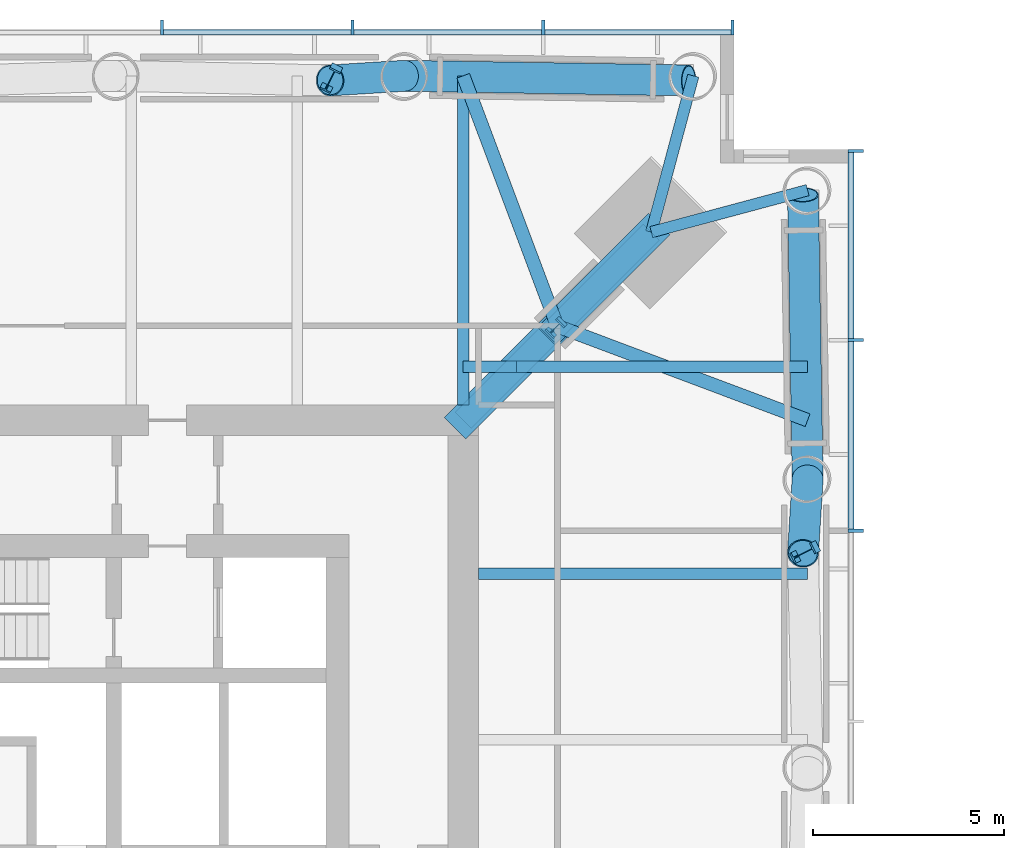
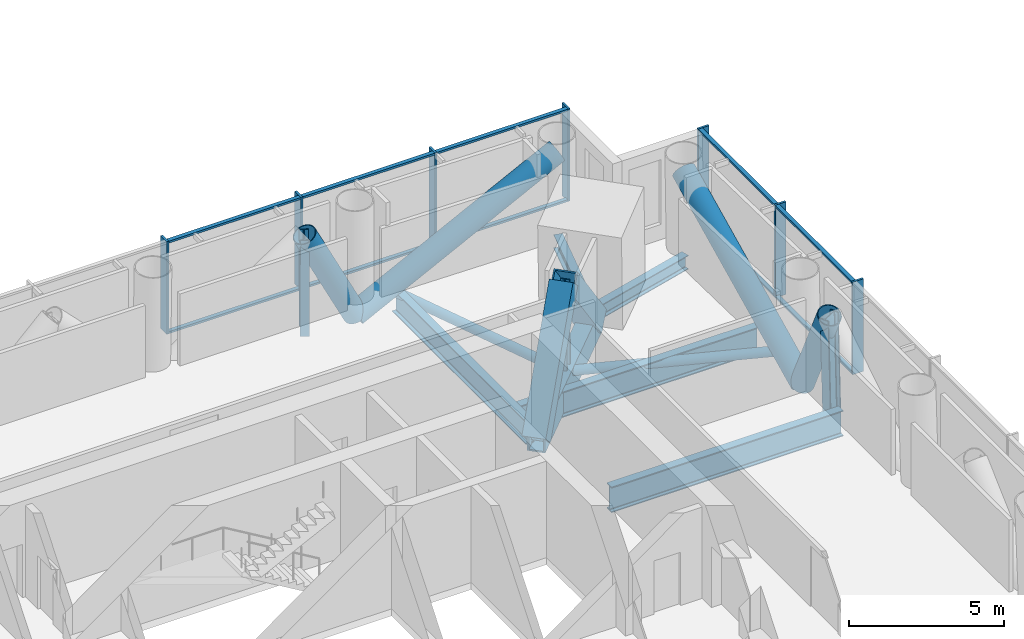
# One storey, part 5 of 18: 29 members, 6 beams, 2 elements without a shape of their own.
"""IFC4 building model written with IfcOpenShell, lengths in metres."""

from ifc_helpers import new_model, si_unit, direction, frame, origin, origin_2d, place, context, subcontext, project, spatial, rectangle, hollow_rectangle, hollow_circle, i_section, extrude, material, material_profile, profile_set, type_object, element, aggregate, save


model = new_model("IFC4")

# Units and contexts
model_context = context("Model", 3, precision=1e-05, world=origin(), true_north=direction((0.0, 1.0)))
body_context = subcontext(model_context, "Body", "Model", "MODEL_VIEW")
ifc_project = project(units=[si_unit("LENGTHUNIT", "METRE"), si_unit("AREAUNIT", "SQUARE_METRE"), si_unit("VOLUMEUNIT", "CUBIC_METRE"), si_unit("PLANEANGLEUNIT", "RADIAN"), si_unit("MASSUNIT", "GRAM", prefix="KILO")], contexts=[model_context])

# Site, building, storey
site_placement = place(None, origin())
site = spatial("IfcSite", under=ifc_project, at=site_placement, CompositionType="ELEMENT")
building_placement = place(site_placement, origin())
building = spatial("IfcBuilding", under=site, at=building_placement, Name="Ostroluk Exchange", CompositionType="ELEMENT")
storey_placement = place(building_placement, frame((0.0, 0.0, 85.60009765625)))
storey = spatial("IfcBuildingStorey", under=building, at=storey_placement, Name="L21", CompositionType="ELEMENT", Elevation=85.60009765625)

# Members
ifc_material_1 = material(Name="Steel S460", Category="steel")
ifc_material_profile_1 = material_profile(ifc_material_1, hollow_circle(Radius=0.406494140625, WallThickness=0.030029296875, at=origin_2d()), Name="CHS 813x30")
ifc_profile_set_1 = profile_set([ifc_material_profile_1], Name="Steel S460")
member_type_1 = type_object("IfcMemberType", Name="Belt truss diagonal CHS 813x30", PredefinedType="BRACE", material=ifc_profile_set_1)
member_1_placement = place(storey_placement, frame((66.935791015625, 57.361328125, -0.780029296875), z_axis=(-0.027976305897, -0.449643277912, 0.892769986579), x_axis=(0.998070006554, -0.062098808504, 0.0)))
element("IfcMember", 1, at=member_1_placement, inside=storey, type_object=member_type_1, Name="Belt truss 1 east diagonal 2.7", PredefinedType="BRACE", context=body_context, shape_type="SweptSolid", body=[
    extrude(hollow_circle(Radius=0.406494140625, WallThickness=0.030029296875, at=origin_2d()), origin(), (0.0, 0.0, 1.0), 4.345947265625),
])
for number, where, z_axis, x_axis, name in (
    (2, (66.935791015625, 57.361328125, -0.780029296875), (-0.014468546103, 0.886910254783, 0.461715129853), (-0.999866962595, -0.016311257162, 0.0), "Belt truss 1 east diagonal 2.8"),
    (3, (56.361328125, 67.935791015625, -0.780029296875), (0.886910254783, -0.014468546103, 0.461715129853), (0.016311257162, 0.999866962595, 0.0), "Belt truss 1 north diagonal 2.1"),
):
    element("IfcMember", number, at=place(storey_placement, frame(where, z_axis=z_axis, x_axis=x_axis)), inside=storey, type_object=member_type_1, Name=name, PredefinedType="BRACE", context=body_context, shape_type="SweptSolid", body=[
        extrude(hollow_circle(Radius=0.406494140625, WallThickness=0.030029296875, at=origin_2d()), origin(), (0.0, 0.0, 1.0), 8.403076171875),
    ])
member_2_placement = place(storey_placement, frame((56.361328125, 67.935791015625, -0.780029296875), z_axis=(-0.449643277912, -0.027976305897, 0.892769986579), x_axis=(0.062098808504, -0.998070006554, 0.0)))
element("IfcMember", 4, at=member_2_placement, inside=storey, type_object=member_type_1, Name="Belt truss 1 north diagonal 2.2", PredefinedType="BRACE", context=body_context, shape_type="SweptSolid", body=[
    extrude(hollow_circle(Radius=0.406494140625, WallThickness=0.030029296875, at=origin_2d()), origin(), (0.0, 0.0, 1.0), 4.345947265625),
])
ifc_material_2 = material(Name="Steel S460", Category="steel")
ifc_material_profile_2 = material_profile(ifc_material_2, i_section(OverallWidth=0.304931640625, OverallDepth=0.6201171875, WebThickness=0.02099609375, FlangeThickness=0.0400390625, FilletRadius=0.027099609375, at=origin_2d()), Name="HEM 600")
ifc_profile_set_2 = profile_set([ifc_material_profile_2], Name="Steel S460")
member_type_2 = type_object("IfcMemberType", Name="Belt truss post HEM 600", PredefinedType="POST", material=ifc_profile_set_2)
for number, where, z_axis, x_axis, name in (
    (5, (66.935791015625, 55.4677734375, -0.780029296875), (-0.031317337633, -0.015595782596, 0.999387810576), (0.445775033553, -0.895145027055, 0.0), "Belt truss 1 east post 2.6"),
    (6, (54.4677734375, 67.935791015625, -0.780029296875), (-0.015595782596, -0.031317337633, 0.999387810576), (0.895145027055, -0.445775033553, 0.0), "Belt truss 1 north post 2.2"),
):
    element("IfcMember", number, at=place(storey_placement, frame(where, z_axis=z_axis, x_axis=x_axis)), inside=storey, type_object=member_type_2, Name=name, PredefinedType="POST", context=body_context, shape_type="SweptSolid", body=[
        extrude(i_section(OverallWidth=0.304931640625, OverallDepth=0.6201171875, WebThickness=0.02099609375, FlangeThickness=0.0400390625, FilletRadius=0.027099609375, at=origin_2d()), origin(), (0.0, 0.0, 1.0), 3.88232421875),
    ])

# Beams
ifc_material_3 = material(Name="Steel S355", Category="steel")
ifc_material_profile_3 = material_profile(ifc_material_3, i_section(OverallWidth=0.300048828125, OverallDepth=0.550048828125, WebThickness=0.014892578125, FlangeThickness=0.029052734375, FilletRadius=0.027099609375, at=origin_2d()), Name="HEB 550")
ifc_profile_set_3 = profile_set([ifc_material_profile_3], Name="Steel S355")
beam_type_1 = type_object("IfcBeamType", Name="Corner edge beam HEB 550", PredefinedType="SPANDREL", material=ifc_profile_set_3)
for number, where, z_axis, x_axis, name in (
    (7, (62.835693359375, 63.835693359375, -0.55517578125), (0.965838624319, 0.259144268261, 0.0), (-0.259144268261, 0.965838624319, 0.0), "T1 east corner edge beam a"),
    (8, (62.835693359375, 63.835693359375, -0.55517578125), (0.259144268261, 0.965838624319, 0.0), (-0.965838624319, 0.259144268261, 0.0), "T1 east corner edge beam b"),
):
    element("IfcBeam", number, at=place(storey_placement, frame(where, z_axis=z_axis, x_axis=x_axis)), inside=storey, type_object=beam_type_1, Name=name, PredefinedType="SPANDREL", context=body_context, shape_type="SweptSolid", body=[
        extrude(i_section(OverallWidth=0.300048828125, OverallDepth=0.550048828125, WebThickness=0.014892578125, FlangeThickness=0.029052734375, FilletRadius=0.027099609375, at=origin_2d()), origin(), (0.0, 0.0, 1.0), 4.2451171875),
    ])
ifc_material_4 = material(Name="Steel S355", Category="steel")
ifc_material_profile_4 = material_profile(ifc_material_4, i_section(OverallWidth=0.302001953125, OverallDepth=1.008056640625, WebThickness=0.02099609375, FlangeThickness=0.0400390625, FilletRadius=0.030029296875, at=origin_2d()), Name="HEM 1000")
ifc_profile_set_4 = profile_set([ifc_material_profile_4], Name="Steel S355")
beam_type_2 = type_object("IfcBeamType", Name="Floor beam HEM 1000", PredefinedType="BEAM", material=ifc_profile_set_4)
beam_1_placement = place(storey_placement, frame((58.300048828125, 54.872314453125, -0.7841796875), z_axis=(1.0, 0.0, 0.0), x_axis=(0.0, 1.0, 0.0)))
element("IfcBeam", 9, at=beam_1_placement, inside=storey, type_object=beam_type_2, Name="T1 east floor beam 5", PredefinedType="BEAM", context=body_context, shape_type="SweptSolid", body=[
    extrude(i_section(OverallWidth=0.302001953125, OverallDepth=1.008056640625, WebThickness=0.02099609375, FlangeThickness=0.0400390625, FilletRadius=0.030029296875, at=origin_2d()), origin(), (0.0, 0.0, 1.0), 8.6357421875),
])
beam_2_placement = place(storey_placement, frame((57.89990234375, 60.300048828125, -0.7841796875), z_axis=(1.0, 0.0, 0.0), x_axis=(0.0, 1.0, 0.0)))
element("IfcBeam", 10, at=beam_2_placement, inside=storey, type_object=beam_type_2, Name="T1 east floor beam 6", PredefinedType="BEAM", context=body_context, shape_type="SweptSolid", body=[
    extrude(i_section(OverallWidth=0.302001953125, OverallDepth=1.008056640625, WebThickness=0.02099609375, FlangeThickness=0.0400390625, FilletRadius=0.030029296875, at=origin_2d()), origin(), (0.0, 0.0, 1.0), 1.400146484375),
])
beam_3_placement = place(storey_placement, frame((59.300048828125, 60.300048828125, -0.7841796875), z_axis=(1.0, 0.0, 0.0), x_axis=(0.0, 1.0, 0.0)))
element("IfcBeam", 11, at=beam_3_placement, inside=storey, type_object=beam_type_2, Name="T1 east floor beam 6", PredefinedType="BEAM", context=body_context, shape_type="SweptSolid", body=[
    extrude(i_section(OverallWidth=0.302001953125, OverallDepth=1.008056640625, WebThickness=0.02099609375, FlangeThickness=0.0400390625, FilletRadius=0.030029296875, at=origin_2d()), origin(), (0.0, 0.0, 1.0), 7.6357421875),
])
ifc_material_5 = material(Name="Steel S355", Category="steel")
ifc_material_profile_5 = material_profile(ifc_material_5, i_section(OverallWidth=0.300048828125, OverallDepth=0.89990234375, WebThickness=0.0185546875, FlangeThickness=0.034912109375, FilletRadius=0.030029296875, at=origin_2d()), Name="HEB 900")
ifc_profile_set_5 = profile_set([ifc_material_profile_5], Name="Steel S355")
beam_type_3 = type_object("IfcBeamType", Name="Girder HEB 900", PredefinedType="BEAM", material=ifc_profile_set_5)
beam_4_placement = place(storey_placement, frame((57.89990234375, 59.300048828125, -0.72998046875), z_axis=(0.0, 1.0, 0.0), x_axis=(-1.0, 0.0, 0.0)))
element("IfcBeam", 12, at=beam_4_placement, inside=storey, type_object=beam_type_3, Name="T1 east girder", PredefinedType="BEAM", context=body_context, shape_type="SweptSolid", body=[
    extrude(i_section(OverallWidth=0.300048828125, OverallDepth=0.89990234375, WebThickness=0.0185546875, FlangeThickness=0.034912109375, FilletRadius=0.030029296875, at=origin_2d()), origin(), (0.0, 0.0, 1.0), 8.6357421875),
])

# Members
ifc_material_6 = material(Name="Steel S460", Category="steel")
ifc_material_profile_6 = material_profile(ifc_material_6, hollow_rectangle(XDim=0.60009765625, YDim=1.0, WallThickness=0.06005859375, at=origin_2d()), Name="BOX 600x1000x60")
ifc_profile_set_6 = profile_set([ifc_material_profile_6], Name="Steel S460")
member_type_3 = type_object("IfcMemberType", Name="Outrigger chord BOX 600x1000x60", PredefinedType="CHORD", material=ifc_profile_set_6)
member_3_placement = place(storey_placement, frame((57.89990234375, 58.89990234375, -0.780029296875), z_axis=(0.707106781187, 0.707106781187, 0.0), x_axis=(-0.707106781187, 0.707106781187, 0.0)))
element("IfcMember", 13, at=member_3_placement, inside=storey, type_object=member_type_3, Name="Outrigger 1 NE chord 2", PredefinedType="CHORD", context=body_context, shape_type="SweptSolid", body=[
    extrude(hollow_rectangle(XDim=0.60009765625, YDim=1.0, WallThickness=0.06005859375, at=origin_2d()), origin(), (0.0, 0.0, 1.0), 6.980224609375),
])
ifc_material_7 = material(Name="Steel S460", Category="steel")
ifc_material_profile_7 = material_profile(ifc_material_7, hollow_rectangle(XDim=0.800048828125, YDim=0.800048828125, WallThickness=0.050048828125, at=origin_2d()), Name="BOX 800x800x50")
ifc_profile_set_7 = profile_set([ifc_material_profile_7], Name="Steel S460")
member_type_4 = type_object("IfcMemberType", Name="Outrigger diagonal BOX 800x800x50", PredefinedType="BRACE", material=ifc_profile_set_7)
member_4_placement = place(storey_placement, frame((57.89990234375, 58.89990234375, -0.780029296875), z_axis=(0.46636467632, 0.46636467632, 0.751670125362), x_axis=(-0.707106781187, 0.707106781187, 0.0)))
element("IfcMember", 14, at=member_4_placement, inside=storey, type_object=member_type_4, Name="Outrigger 1 NE diagonal 2a", PredefinedType="BRACE", context=body_context, shape_type="SweptSolid", body=[
    extrude(hollow_rectangle(XDim=0.800048828125, YDim=0.800048828125, WallThickness=0.050048828125, at=origin_2d()), origin(), (0.0, 0.0, 1.0), 5.16162109375),
])
member_5_placement = place(storey_placement, frame((60.30712890625, 61.30712890625, 3.099853515625), z_axis=(0.479218339765, 0.479218339765, -0.735322762918), x_axis=(-0.707106781187, 0.707106781187, 0.0)))
element("IfcMember", 15, at=member_5_placement, inside=storey, type_object=member_type_4, Name="Outrigger 1 NE diagonal 2b", PredefinedType="BRACE", context=body_context, shape_type="SweptSolid", body=[
    extrude(hollow_rectangle(XDim=0.800048828125, YDim=0.800048828125, WallThickness=0.050048828125, at=origin_2d()), origin(), (0.0, 0.0, 1.0), 5.2763671875),
])
ifc_material_8 = material(Name="Steel S460", Category="steel")
ifc_material_profile_8 = material_profile(ifc_material_8, i_section(OverallWidth=0.306884765625, OverallDepth=0.431884765625, WebThickness=0.02099609375, FlangeThickness=0.0400390625, FilletRadius=0.027099609375, at=origin_2d()), Name="HEM 400")
ifc_profile_set_8 = profile_set([ifc_material_profile_8], Name="Steel S460")
member_type_5 = type_object("IfcMemberType", Name="Outrigger post HEM 400", PredefinedType="POST", material=ifc_profile_set_8)
member_6_placement = place(storey_placement, frame((60.367919921875, 61.367919921875, -0.780029296875), z_axis=(-0.015664415706, -0.015664415706, 0.999754595969), x_axis=(0.707106781187, -0.707106781187, 0.0)))
element("IfcMember", 16, at=member_6_placement, inside=storey, type_object=member_type_5, Name="Outrigger 1 NE post 2", PredefinedType="POST", context=body_context, shape_type="SweptSolid", body=[
    extrude(i_section(OverallWidth=0.306884765625, OverallDepth=0.431884765625, WebThickness=0.02099609375, FlangeThickness=0.0400390625, FilletRadius=0.027099609375, at=origin_2d()), origin(), (0.0, 0.0, 1.0), 3.880859375),
])
ifc_material_9 = material(Name="Steel S460", Category="steel")
ifc_material_profile_9 = material_profile(ifc_material_9, hollow_circle(Radius=0.177734375, WallThickness=0.012451171875, at=origin_2d()), Name="CHS 355.6x12.5")
ifc_profile_set_9 = profile_set([ifc_material_profile_9], Name="Steel S460")
member_type_6 = type_object("IfcMemberType", Name="Plan bracing CHS 355.6x12.5", PredefinedType="BRACE", material=ifc_profile_set_9)
for number, where, z_axis, x_axis, name in (
    (17, (60.367919921875, 61.367919921875, -0.4580078125), (0.936091585711, -0.351756369041, 0.0), (0.351756369041, 0.936091585711, 0.0), "Plan bracing L21 NE a"),
    (18, (60.367919921875, 61.367919921875, -0.4580078125), (-0.351756369041, 0.936091585711, 0.0), (-0.936091585711, -0.351756369041, 0.0), "Plan bracing L21 NE b"),
):
    element("IfcMember", number, at=place(storey_placement, frame(where, z_axis=z_axis, x_axis=x_axis)), inside=storey, type_object=member_type_6, Name=name, PredefinedType="BRACE", context=body_context, shape_type="SweptSolid", body=[
        extrude(hollow_circle(Radius=0.177734375, WallThickness=0.012451171875, at=origin_2d()), origin(), (0.0, 0.0, 1.0), 7.016357421875),
    ])

# Curtain wall, members
ifc_material_10 = material(Name="Laminated clear glass", Category="glass")
curtain_wall_type = type_object("IfcCurtainWallType", Name="Office tower plant and sky lobby facade", PredefinedType="USERDEFINED", material=ifc_material_10)
curtain_wall_1_placement = place(storey_placement, origin())
curtain_wall_1 = element("IfcCurtainWall", 19, at=curtain_wall_1_placement, inside=storey, type_object=curtain_wall_type, Name="Office tower east facade L21", ObjectType="LOUVRED CURTAIN WALL", PredefinedType="USERDEFINED")
ifc_material_11 = material(Name="Aluminium mullion", Category="aluminium")
ifc_material_profile_10 = material_profile(ifc_material_11, rectangle(XDim=0.14990234375, YDim=0.080078125, at=origin_2d()), Name="Sill transom 80 x 150")
ifc_profile_set_10 = profile_set([ifc_material_profile_10], Name="Aluminium mullion")
member_type_7 = type_object("IfcMemberType", Name="Sill transom 80 x 150", PredefinedType="USERDEFINED", material=ifc_profile_set_10)
member_7_placement = place(storey_placement, frame((68.074951171875, 56.0400390625, 0.039794921875), z_axis=(0.0, 1.0, 0.0), x_axis=(-1.0, 0.0, 0.0)))
member_7 = element("IfcMember", 20, at=member_7_placement, type_object=member_type_7, Name="CW-P1 transom 7.1", ObjectType="TRANSOM", PredefinedType="USERDEFINED", context=body_context, shape_type="SweptSolid", body=[
    extrude(rectangle(XDim=0.14990234375, YDim=0.080078125, at=origin_2d()), origin(), (0.0, 0.0, 1.0), 4.919921875),
])
member_8_placement = place(storey_placement, frame((68.074951171875, 56.0400390625, 3.60986328125), z_axis=(0.0, 1.0, 0.0), x_axis=(-1.0, 0.0, 0.0)))
member_8 = element("IfcMember", 21, at=member_8_placement, type_object=member_type_7, Name="CW-P1 transom 7.2", ObjectType="TRANSOM", PredefinedType="USERDEFINED", context=body_context, shape_type="SweptSolid", body=[
    extrude(rectangle(XDim=0.14990234375, YDim=0.080078125, at=origin_2d()), origin(), (0.0, 0.0, 1.0), 4.919921875),
])
member_9_placement = place(storey_placement, frame((68.074951171875, 61.0400390625, 0.039794921875), z_axis=(0.0, 1.0, 0.0), x_axis=(-1.0, 0.0, 0.0)))
member_9 = element("IfcMember", 22, at=member_9_placement, type_object=member_type_7, Name="CW-P1 transom 8.1", ObjectType="TRANSOM", PredefinedType="USERDEFINED", context=body_context, shape_type="SweptSolid", body=[
    extrude(rectangle(XDim=0.14990234375, YDim=0.080078125, at=origin_2d()), origin(), (0.0, 0.0, 1.0), 4.8798828125),
])
member_10_placement = place(storey_placement, frame((68.074951171875, 61.0400390625, 3.60986328125), z_axis=(0.0, 1.0, 0.0), x_axis=(-1.0, 0.0, 0.0)))
member_10 = element("IfcMember", 23, at=member_10_placement, type_object=member_type_7, Name="CW-P1 transom 8.2", ObjectType="TRANSOM", PredefinedType="USERDEFINED", context=body_context, shape_type="SweptSolid", body=[
    extrude(rectangle(XDim=0.14990234375, YDim=0.080078125, at=origin_2d()), origin(), (0.0, 0.0, 1.0), 4.8798828125),
])

curtain_wall_2_placement = place(storey_placement, origin())
curtain_wall_2 = element("IfcCurtainWall", 24, at=curtain_wall_2_placement, inside=storey, type_object=curtain_wall_type, Name="Office tower north facade L21", ObjectType="LOUVRED CURTAIN WALL", PredefinedType="USERDEFINED")
member_11_placement = place(storey_placement, frame((64.919921875, 69.074951171875, 0.039794921875), z_axis=(-1.0, 0.0, 0.0), x_axis=(0.0, -1.0, 0.0)))
member_11 = element("IfcMember", 25, at=member_11_placement, type_object=member_type_7, Name="CW-P1 transom 1.1", ObjectType="TRANSOM", PredefinedType="USERDEFINED", context=body_context, shape_type="SweptSolid", body=[
    extrude(rectangle(XDim=0.14990234375, YDim=0.080078125, at=origin_2d()), origin(), (0.0, 0.0, 1.0), 4.8798828125),
])
member_12_placement = place(storey_placement, frame((64.919921875, 69.074951171875, 3.60986328125), z_axis=(-1.0, 0.0, 0.0), x_axis=(0.0, -1.0, 0.0)))
member_12 = element("IfcMember", 26, at=member_12_placement, type_object=member_type_7, Name="CW-P1 transom 1.2", ObjectType="TRANSOM", PredefinedType="USERDEFINED", context=body_context, shape_type="SweptSolid", body=[
    extrude(rectangle(XDim=0.14990234375, YDim=0.080078125, at=origin_2d()), origin(), (0.0, 0.0, 1.0), 4.8798828125),
])
member_13_placement = place(storey_placement, frame((59.9599609375, 69.074951171875, 0.039794921875), z_axis=(-1.0, 0.0, 0.0), x_axis=(0.0, -1.0, 0.0)))
member_13 = element("IfcMember", 27, at=member_13_placement, type_object=member_type_7, Name="CW-P1 transom 2.1", ObjectType="TRANSOM", PredefinedType="USERDEFINED", context=body_context, shape_type="SweptSolid", body=[
    extrude(rectangle(XDim=0.14990234375, YDim=0.080078125, at=origin_2d()), origin(), (0.0, 0.0, 1.0), 4.919921875),
])
member_14_placement = place(storey_placement, frame((59.9599609375, 69.074951171875, 3.60986328125), z_axis=(-1.0, 0.0, 0.0), x_axis=(0.0, -1.0, 0.0)))
member_14 = element("IfcMember", 28, at=member_14_placement, type_object=member_type_7, Name="CW-P1 transom 2.2", ObjectType="TRANSOM", PredefinedType="USERDEFINED", context=body_context, shape_type="SweptSolid", body=[
    extrude(rectangle(XDim=0.14990234375, YDim=0.080078125, at=origin_2d()), origin(), (0.0, 0.0, 1.0), 4.919921875),
])
member_15_placement = place(storey_placement, frame((54.9599609375, 69.074951171875, 0.039794921875), z_axis=(-1.0, 0.0, 0.0), x_axis=(0.0, -1.0, 0.0)))
member_15 = element("IfcMember", 29, at=member_15_placement, type_object=member_type_7, Name="CW-P1 transom 3.1", ObjectType="TRANSOM", PredefinedType="USERDEFINED", context=body_context, shape_type="SweptSolid", body=[
    extrude(rectangle(XDim=0.14990234375, YDim=0.080078125, at=origin_2d()), origin(), (0.0, 0.0, 1.0), 4.919921875),
])
member_16_placement = place(storey_placement, frame((54.9599609375, 69.074951171875, 3.60986328125), z_axis=(-1.0, 0.0, 0.0), x_axis=(0.0, -1.0, 0.0)))
member_16 = element("IfcMember", 30, at=member_16_placement, type_object=member_type_7, Name="CW-P1 transom 3.2", ObjectType="TRANSOM", PredefinedType="USERDEFINED", context=body_context, shape_type="SweptSolid", body=[
    extrude(rectangle(XDim=0.14990234375, YDim=0.080078125, at=origin_2d()), origin(), (0.0, 0.0, 1.0), 4.919921875),
])

# Member
ifc_material_12 = material(Name="Aluminium mullion with limestone facing", Category="masonry")
ifc_material_profile_11 = material_profile(ifc_material_12, rectangle(XDim=0.39990234375, YDim=0.080078125, at=origin_2d()), Name="Tracery mullion 80 x 400")
ifc_profile_set_11 = profile_set([ifc_material_profile_11], Name="Aluminium mullion with limestone facing")
member_type_8 = type_object("IfcMemberType", Name="Tracery mullion 80 x 400", PredefinedType="MULLION", material=ifc_profile_set_11)
member_17_placement = place(storey_placement, frame((68.199951171875, 56.0, 0.0), z_axis=(0.0, 0.0, 1.0), x_axis=(-1.0, 0.0, 0.0)))
member_17 = element("IfcMember", 31, at=member_17_placement, type_object=member_type_8, Name="CW-P1 mullion 7", PredefinedType="MULLION", context=body_context, shape_type="SweptSolid", body=[
    extrude(rectangle(XDim=0.39990234375, YDim=0.080078125, at=origin_2d()), origin(), (0.0, 0.0, 1.0), 3.64990234375),
])

member_18_placement = place(storey_placement, frame((68.199951171875, 61.0, 0.0), z_axis=(0.0, 0.0, 1.0), x_axis=(-1.0, 0.0, 0.0)))
member_18 = element("IfcMember", 32, at=member_18_placement, type_object=member_type_8, Name="CW-P1 mullion 8", PredefinedType="MULLION", context=body_context, shape_type="SweptSolid", body=[
    extrude(rectangle(XDim=0.39990234375, YDim=0.080078125, at=origin_2d()), origin(), (0.0, 0.0, 1.0), 3.64990234375),
])

member_19_placement = place(storey_placement, frame((68.199951171875, 65.9599609375, 0.0), z_axis=(0.0, 0.0, 1.0), x_axis=(-1.0, 0.0, 0.0)))
member_19 = element("IfcMember", 33, at=member_19_placement, type_object=member_type_8, Name="CW-P1 mullion 9", PredefinedType="MULLION", context=body_context, shape_type="SweptSolid", body=[
    extrude(rectangle(XDim=0.39990234375, YDim=0.080078125, at=origin_2d()), origin(), (0.0, 0.0, 1.0), 3.64990234375),
])

aggregate(curtain_wall_1, [member_17, member_18, member_19, member_7, member_8, member_9, member_10])

member_20_placement = place(storey_placement, frame((64.9599609375, 69.199951171875, 0.0), z_axis=(0.0, 0.0, 1.0), x_axis=(0.0, -1.0, 0.0)))
member_20 = element("IfcMember", 34, at=member_20_placement, type_object=member_type_8, Name="CW-P1 mullion 1", PredefinedType="MULLION", context=body_context, shape_type="SweptSolid", body=[
    extrude(rectangle(XDim=0.39990234375, YDim=0.080078125, at=origin_2d()), origin(), (0.0, 0.0, 1.0), 3.64990234375),
])

member_21_placement = place(storey_placement, frame((60.0, 69.199951171875, 0.0), z_axis=(0.0, 0.0, 1.0), x_axis=(0.0, -1.0, 0.0)))
member_21 = element("IfcMember", 35, at=member_21_placement, type_object=member_type_8, Name="CW-P1 mullion 2", PredefinedType="MULLION", context=body_context, shape_type="SweptSolid", body=[
    extrude(rectangle(XDim=0.39990234375, YDim=0.080078125, at=origin_2d()), origin(), (0.0, 0.0, 1.0), 3.64990234375),
])

member_22_placement = place(storey_placement, frame((55.0, 69.199951171875, 0.0), z_axis=(0.0, 0.0, 1.0), x_axis=(0.0, -1.0, 0.0)))
member_22 = element("IfcMember", 36, at=member_22_placement, type_object=member_type_8, Name="CW-P1 mullion 3", PredefinedType="MULLION", context=body_context, shape_type="SweptSolid", body=[
    extrude(rectangle(XDim=0.39990234375, YDim=0.080078125, at=origin_2d()), origin(), (0.0, 0.0, 1.0), 3.64990234375),
])

member_23_placement = place(storey_placement, frame((50.0, 69.199951171875, 0.0), z_axis=(0.0, 0.0, 1.0), x_axis=(0.0, -1.0, 0.0)))
member_23 = element("IfcMember", 37, at=member_23_placement, type_object=member_type_8, Name="CW-P1 mullion 4", PredefinedType="MULLION", context=body_context, shape_type="SweptSolid", body=[
    extrude(rectangle(XDim=0.39990234375, YDim=0.080078125, at=origin_2d()), origin(), (0.0, 0.0, 1.0), 3.64990234375),
])

aggregate(curtain_wall_2, [member_20, member_21, member_22, member_23, member_11, member_12, member_13, member_14, member_15, member_16])

save(model, "model.ifc")
